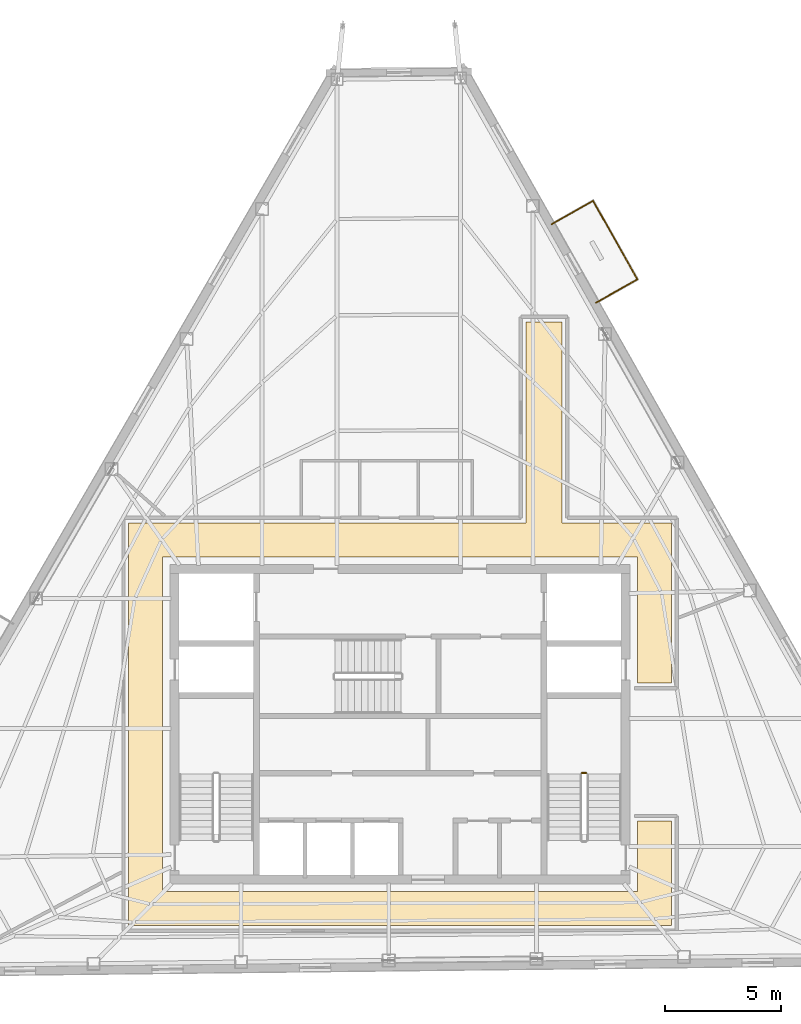
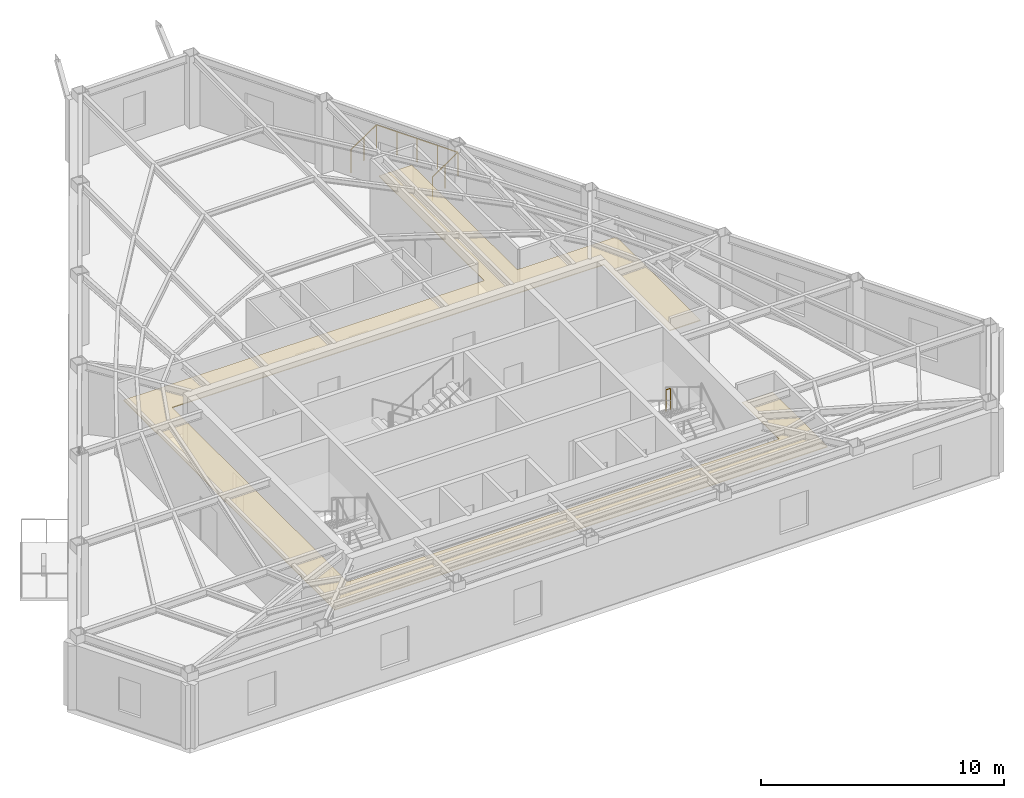
# One storey, part 10 of 10: 4 railings, 1 covering.
"""IFC4 building model written with IfcOpenShell, lengths in metres."""

from ifc_helpers import new_model, si_unit, direction, frame, origin, origin_2d, place, context, subcontext, project, spatial, polyline, circle, outline, extrude, material, layer, layer_set, type_object, element, save


model = new_model("IFC4")

# Units and contexts
model_context = context("Model", 3, precision=1e-05, world=origin(), true_north=direction((0.0, 1.0)))
body_context = subcontext(model_context, "Body", "Model", "MODEL_VIEW")
ifc_project = project(units=[si_unit("LENGTHUNIT", "METRE"), si_unit("AREAUNIT", "SQUARE_METRE"), si_unit("VOLUMEUNIT", "CUBIC_METRE"), si_unit("PLANEANGLEUNIT", "RADIAN"), si_unit("MASSUNIT", "GRAM", prefix="KILO")], contexts=[model_context])

# Site, building, storey
site_placement = place(None, origin())
site = spatial("IfcSite", under=ifc_project, at=site_placement, CompositionType="ELEMENT")
building_placement = place(site_placement, origin())
building = spatial("IfcBuilding", under=site, at=building_placement, Name="Kavelnor Concourse Tower", CompositionType="ELEMENT")
storey_placement = place(building_placement, frame((0.0, 0.0, 293.39990234375)))
storey = spatial("IfcBuildingStorey", under=building, at=storey_placement, Name="L74", CompositionType="ELEMENT", Elevation=293.39990234375)

# Covering
ifc_material_1 = material(Name="Mineral fibre acoustic ceiling tile")
ifc_layer = layer(ifc_material_1, 0.0400390625, Name="Mineral fibre acoustic ceiling tile")
ifc_layer_set = layer_set([ifc_layer], Name="Mineral fibre acoustic ceiling tile")
covering_type = type_object("IfcCoveringType", Name="COV-CEILING-ACOUSTIC", PredefinedType="CEILING", material=ifc_layer_set)
covering_placement = place(storey_placement, frame((0.0, 0.0, 2.75)))
element("IfcCovering", 1, at=covering_placement, inside=storey, type_object=covering_type, Name="L74 Suspended Acoustic Ceiling", PredefinedType="CEILING", context=body_context, shape_type="SweptSolid", body=[
    extrude(outline(polyline([(44.97998046875, 24.77001953125), (49.68994140625, 24.77001953125), (49.68994140625, 17.8701171875), (48.22998046875, 17.8701171875), (48.22998046875, 23.31005859375), (27.77001953125, 23.31005859375), (27.77001953125, 8.889892578125), (48.22998046875, 8.889892578125), (48.22998046875, 11.929931640625), (49.68994140625, 11.929931640625), (49.68994140625, 7.429931640625), (26.31005859375, 7.429931640625), (26.31005859375, 24.77001953125), (43.419921875, 24.77001953125), (43.419921875, 33.423095703125), (44.97998046875, 33.423095703125), (44.97998046875, 24.77001953125)])), origin(), (0.0, 0.0, 1.0), 0.0400390625),
])

# Railings
ifc_material_2 = material(Name="Steel Grade 350", Category="steel")
railing_type_1 = type_object("IfcRailingType", Name="RLG-GUARD-1100", PredefinedType="GUARDRAIL", material=ifc_material_2)
railing_1_placement = place(storey_placement, frame((46.02001953125, 14.0, 1.925048828125)))
element("IfcRailing", 2, at=railing_1_placement, inside=storey, type_object=railing_type_1, Name="L74 ST2 stair guard 2", PredefinedType="GUARDRAIL", context=body_context, shape_type="SweptSolid", body=[
    extrude(circle(Radius=0.02392578125, at=origin_2d()), frame((0.0, 0.0, 1.076171875), z_axis=(-1.0, 0.0, 0.0), x_axis=(0.0, -1.0, 0.0)), (0.0, 0.0, 1.0), 0.199951171875),
    extrude(circle(Radius=0.02099609375, at=origin_2d()), origin(), (0.0, 0.0, 1.0), 1.052001953125),
    extrude(circle(Radius=0.02099609375, at=origin_2d()), frame((-0.199951171875, 0.0, 0.0)), (0.0, 0.0, 1.0), 1.052001953125),
])
ifc_material_3 = material(Name="Architectural bronze-anodised aluminium", Category="aluminium")
railing_type_2 = type_object("IfcRailingType", Name="RLG-TERRACE-1200", PredefinedType="BALUSTRADE", material=ifc_material_3)
railing_2_placement = place(storey_placement, frame((46.430419921875, 34.246826171875, 0.0)))
element("IfcRailing", 3, at=railing_2_placement, inside=storey, type_object=railing_type_2, Name="L74 Tree Balcony 1 Guardrail L", PredefinedType="BALUSTRADE", context=body_context, shape_type="SweptSolid", body=[
    extrude(circle(Radius=0.02392578125, at=origin_2d()), frame((0.0, 0.0, 1.17578125), z_axis=(0.870788953415, 0.491656992842, 0.0), x_axis=(-0.491656992842, 0.870788953415, 0.0)), (0.0, 0.0, 1.0), 2.05029296875),
    extrude(circle(Radius=0.02099609375, at=origin_2d()), origin(), (0.0, 0.0, 1.0), 1.15185546875),
    extrude(circle(Radius=0.02099609375, at=origin_2d()), frame((0.892578125, 0.50390625, 0.0)), (0.0, 0.0, 1.0), 1.15185546875),
    extrude(circle(Radius=0.02099609375, at=origin_2d()), frame((1.785400390625, 1.008056640625, 0.0)), (0.0, 0.0, 1.0), 1.15185546875),
])
railing_3_placement = place(storey_placement, frame((48.2158203125, 35.2548828125, 0.0)))
element("IfcRailing", 4, at=railing_3_placement, inside=storey, type_object=railing_type_2, Name="L74 Tree Balcony 1 Guardrail F", PredefinedType="BALUSTRADE", context=body_context, shape_type="SweptSolid", body=[
    extrude(circle(Radius=0.02392578125, at=origin_2d()), frame((0.0, 0.0, 1.17578125), z_axis=(-0.491673636235, 0.870779556163, 0.0), x_axis=(-0.870779556163, -0.491673636235, 0.0)), (0.0, 0.0, 1.0), 3.880126953125),
    extrude(circle(Radius=0.02099609375, at=origin_2d()), origin(), (0.0, 0.0, 1.0), 1.15185546875),
    extrude(circle(Radius=0.02099609375, at=origin_2d()), frame((-0.47705078125, 0.8447265625, 0.0)), (0.0, 0.0, 1.0), 1.15185546875),
    extrude(circle(Radius=0.02099609375, at=origin_2d()), frame((-0.953857421875, 1.689453125, 0.0)), (0.0, 0.0, 1.0), 1.15185546875),
    extrude(circle(Radius=0.02099609375, at=origin_2d()), frame((-1.4306640625, 2.533935546875, 0.0)), (0.0, 0.0, 1.0), 1.15185546875),
    extrude(circle(Radius=0.02099609375, at=origin_2d()), frame((-1.90771484375, 3.378662109375, 0.0)), (0.0, 0.0, 1.0), 1.15185546875),
])
railing_4_placement = place(storey_placement, frame((46.30810546875, 38.633544921875, 0.0)))
element("IfcRailing", 5, at=railing_4_placement, inside=storey, type_object=railing_type_2, Name="L74 Tree Balcony 1 Guardrail R", PredefinedType="BALUSTRADE", context=body_context, shape_type="SweptSolid", body=[
    extrude(circle(Radius=0.02392578125, at=origin_2d()), frame((0.0, 0.0, 1.17578125), z_axis=(-0.870782363962, -0.491668663444, 0.0), x_axis=(0.491668663444, -0.870782363962, 0.0)), (0.0, 0.0, 1.0), 2.0498046875),
    extrude(circle(Radius=0.02099609375, at=origin_2d()), origin(), (0.0, 0.0, 1.0), 1.15185546875),
    extrude(circle(Radius=0.02099609375, at=origin_2d()), frame((-0.892578125, -0.50390625, 0.0)), (0.0, 0.0, 1.0), 1.15185546875),
    extrude(circle(Radius=0.02099609375, at=origin_2d()), frame((-1.784912109375, -1.0078125, 0.0)), (0.0, 0.0, 1.0), 1.15185546875),
])

save(model, "model.ifc")
